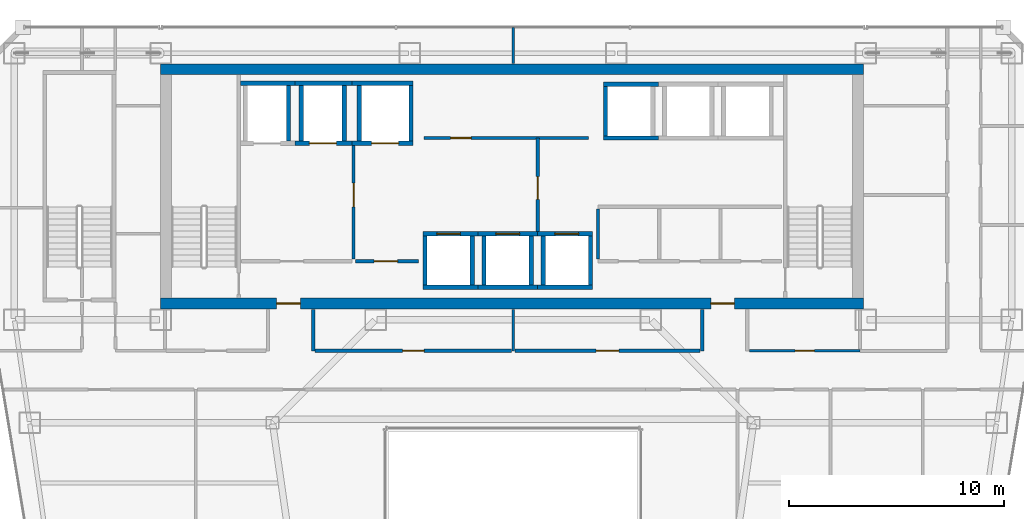
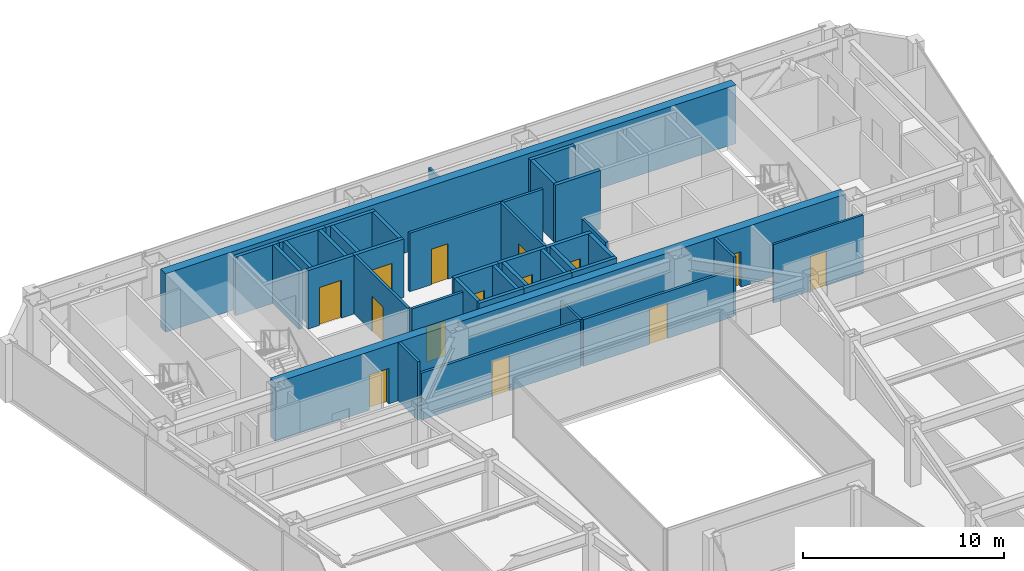
# One storey, part 32 of 37: 39 walls, 14 doors, 14 openings.
"""IFC4 building model written with IfcOpenShell, lengths in metres."""

import ifcopenshell
import ifcopenshell.guid

model = None  # the IFC model being written
_history = None  # IfcOwnerHistory: only IFC2X3 demands one
_inside = {}  # id of a spatial element -> (the spatial element, [elements in it])
_under = {}  # id of a project, library or spatial element -> (it, [spatial elements below it])
_declared = {}  # id of a project -> (the project, [libraries it declares])
_typed = {}  # id of a type object -> (the type object, [elements of that type])
_made_of = {}  # id of a material, layer set ... -> (it, [elements and type objects made of it])


def new_model(schema):
    """Start an empty IFC model of exactly this schema.

    Asked for "IFC4X3", IfcOpenShell would pick the latest addendum, in which some entities
    have other attributes; the version numbers below select the first issue.
    IFC2X3 requires an IfcOwnerHistory on every rooted entity: one is made here for all.
    """
    global model, _history
    if schema == "IFC4X3":
        model = ifcopenshell.file(schema_version=(4, 3, 0, 0))
    else:
        model = ifcopenshell.file(schema=schema)
    _inside.clear()
    _under.clear()
    _declared.clear()
    _typed.clear()
    _made_of.clear()
    _history = None
    if model.schema == "IFC2X3":
        org = make("IfcOrganization", Name="unknown")
        user = make(
            "IfcPersonAndOrganization",
            ThePerson=make("IfcPerson", FamilyName="unknown"),
            TheOrganization=org,
        )
        app = make(
            "IfcApplication",
            ApplicationDeveloper=org,
            Version="unknown",
            ApplicationFullName="unknown",
            ApplicationIdentifier="unknown",
        )
        _history = make(
            "IfcOwnerHistory",
            OwningUser=user,
            OwningApplication=app,
            ChangeAction="ADDED",
            CreationDate=0,
        )
    return model


def make(cls, **values):
    """One entity of the class cls with the attributes given. An attribute that is None is left unset."""
    return model.create_entity(
        cls, **{name: value for name, value in values.items() if value is not None}
    )


def rooted(cls, **values):
    """An entity with a GlobalId (a new one), such as an element, a storey or a relation."""
    return make(cls, GlobalId=ifcopenshell.guid.new(), OwnerHistory=_history, **values)


def si_unit(unit_type, name, prefix=None):
    """IfcSIUnit, for example si_unit("LENGTHUNIT", "METRE", prefix="MILLI")."""
    return make("IfcSIUnit", UnitType=unit_type, Prefix=prefix, Name=name)


def assignment(units):
    """IfcUnitAssignment: the units of a project."""
    return None if units is None else make("IfcUnitAssignment", Units=units)


def point(xyz):
    """IfcCartesianPoint."""
    return None if xyz is None else make("IfcCartesianPoint", Coordinates=xyz)


def direction(xyz):
    """IfcDirection."""
    return None if xyz is None else make("IfcDirection", DirectionRatios=xyz)


def frame(location, z_axis=None, x_axis=None):
    """IfcAxis2Placement3D, a coordinate frame: its origin and axes. An axis left out is left unset."""
    return make(
        "IfcAxis2Placement3D",
        Location=point(location),
        Axis=direction(z_axis),
        RefDirection=direction(x_axis),
    )


def frame_2d(location, x_axis=None):
    """IfcAxis2Placement2D, a coordinate frame in the plane: its origin and x axis."""
    return make(
        "IfcAxis2Placement2D", Location=point(location), RefDirection=direction(x_axis)
    )


def origin():
    """The frame at (0, 0, 0) with its axes left unset."""
    return frame((0.0, 0.0, 0.0))


def place(relative_to, where):
    """IfcLocalPlacement: puts the frame where relative to a parent placement (None: the world)."""
    return make(
        "IfcLocalPlacement", PlacementRelTo=relative_to, RelativePlacement=where
    )


def context(
    kind, dimensions, precision=None, world=None, true_north=None, identifier=None
):
    """IfcGeometricRepresentationContext, for example the 3D "Model" context."""
    return make(
        "IfcGeometricRepresentationContext",
        ContextIdentifier=identifier,
        ContextType=kind,
        CoordinateSpaceDimension=dimensions,
        Precision=precision,
        WorldCoordinateSystem=world,
        TrueNorth=true_north,
    )


def subcontext(parent, identifier, kind, view, scale=None):
    """IfcGeometricRepresentationSubContext, for example "Body" below "Model"."""
    return make(
        "IfcGeometricRepresentationSubContext",
        ContextIdentifier=identifier,
        ContextType=kind,
        ParentContext=parent,
        TargetScale=scale,
        TargetView=view,
    )


def project(units=None, contexts=None):
    """IfcProject with its units and contexts."""
    return rooted(
        "IfcProject",
        Name="project",
        RepresentationContexts=contexts,
        UnitsInContext=assignment(units),
    )


def spatial(cls, under=None, at=None, **own):
    """A site, building, storey or space (cls), placed at a placement, below another one or the project."""
    s = rooted(cls, ObjectPlacement=at, **own)
    if under is not None:
        _under.setdefault(under.id(), (under, []))[1].append(s)
    return s


def profile(cls, at=None, kind="AREA", **sizes):
    """A parametric profile (cls). Its sizes go by their IFC names, for example OverallWidth=200.0."""
    return make(cls, ProfileType=kind, Position=at, **sizes)


def rectangle(**sizes):
    """IfcRectangleProfileDef."""
    return profile("IfcRectangleProfileDef", **sizes)


def extrude(swept, where, along, depth):
    """IfcExtrudedAreaSolid: the profile swept, set in the frame where, extruded along a direction by depth."""
    return make(
        "IfcExtrudedAreaSolid",
        SweptArea=swept,
        Position=where,
        ExtrudedDirection=direction(along),
        Depth=depth,
    )


def shape(context_of_items, identifier, shape_type, items):
    """IfcShapeRepresentation: the items that make up one representation, for example the "Body"."""
    return make(
        "IfcShapeRepresentation",
        ContextOfItems=context_of_items,
        RepresentationIdentifier=identifier,
        RepresentationType=shape_type,
        Items=items,
    )


def material(Name=None, Category=None):
    """IfcMaterial."""
    return make("IfcMaterial", Name=Name, Category=Category)


def layer(
    of_material, thickness, ventilated=None, Name=None, Category=None, Priority=None
):
    """IfcMaterialLayer: one layer of a wall or slab, of a material (None: an air gap)."""
    return make(
        "IfcMaterialLayer",
        Material=of_material,
        LayerThickness=thickness,
        IsVentilated=ventilated,
        Name=Name,
        Category=Category,
        Priority=Priority,
    )


def layer_set(layers, Name=None):
    """IfcMaterialLayerSet."""
    return make("IfcMaterialLayerSet", MaterialLayers=layers, LayerSetName=Name)


def made_of(thing, what):
    """Note that an element or type object is made of a material, layer set ...; save() writes the relation."""
    if what is not None:
        _made_of.setdefault(what.id(), (what, []))[1].append(thing)
    return thing


def type_object(cls, material=None, **own):
    """A type object (cls), such as IfcWallType, which elements share."""
    return made_of(rooted(cls, **own), material)


def element(
    cls,
    number,
    at=None,
    inside=None,
    cuts=None,
    type_object=None,
    material=None,
    context=None,
    identifier="Body",
    shape_type=None,
    held_by="IfcProductDefinitionShape",
    body=None,
    shapes=None,
    **own,
):
    """One element of the class cls, such as IfcWall. Its Tag is "e" and its number.

    at: its placement. inside: the storey or other place that contains it. cuts: it is an
    opening in that element (IfcRelVoidsElement). A single representation is given by context,
    identifier, shape_type and body (its items); several are given by shapes. held_by: the class
    of the entity that holds the representations. save() writes the other relations.
    """
    e = rooted(cls, Tag="e%d" % number, ObjectPlacement=at, **own)
    if body is not None:
        shapes = [shape(context, identifier, shape_type, body)]
    if shapes is not None:
        e.Representation = make(held_by, Representations=shapes)
    if inside is not None:
        _inside.setdefault(inside.id(), (inside, []))[1].append(e)
    if cuts is not None:
        rooted(
            "IfcRelVoidsElement", RelatingBuildingElement=cuts, RelatedOpeningElement=e
        )
    if type_object is not None:
        _typed.setdefault(type_object.id(), (type_object, []))[1].append(e)
    return made_of(e, material)


def fill(opening, filler):
    """IfcRelFillsElement: the door or window that sits in an opening."""
    return rooted(
        "IfcRelFillsElement",
        RelatingOpeningElement=opening,
        RelatedBuildingElement=filler,
    )


def aggregate(whole, parts):
    """IfcRelAggregates: a whole, such as a stair, and the parts it consists of."""
    return rooted("IfcRelAggregates", RelatingObject=whole, RelatedObjects=parts)


def save(model, path):
    """Write the relations noted so far, then the file.

    IfcRelAggregates (storeys below a building ...), IfcRelContainedInSpatialStructure (elements
    in a storey), IfcRelDefinesByType, IfcRelAssociatesMaterial and IfcRelDeclares: one each for
    every whole, place, type object, material and project.
    """
    for whole, parts in _under.values():
        aggregate(whole, parts)
    for where, things in _inside.values():
        rooted(
            "IfcRelContainedInSpatialStructure",
            RelatedElements=things,
            RelatingStructure=where,
        )
    for kind, things in _typed.values():
        rooted("IfcRelDefinesByType", RelatedObjects=things, RelatingType=kind)
    for what, things in _made_of.values():
        rooted("IfcRelAssociatesMaterial", RelatedObjects=things, RelatingMaterial=what)
    for by, libraries in _declared.values():
        rooted("IfcRelDeclares", RelatingContext=by, RelatedDefinitions=libraries)
    model.write(path)


model = new_model("IFC4")

# Units and contexts
model_context = context("Model", 3, precision=1e-05, world=origin(), true_north=direction((0.0, 1.0)))
body_context = subcontext(model_context, "Body", "Model", "MODEL_VIEW")
ifc_project = project(units=[si_unit("LENGTHUNIT", "METRE"), si_unit("AREAUNIT", "SQUARE_METRE"), si_unit("VOLUMEUNIT", "CUBIC_METRE"), si_unit("PLANEANGLEUNIT", "RADIAN"), si_unit("MASSUNIT", "GRAM", prefix="KILO")], contexts=[model_context])

# Site, building, storey
site_placement = place(None, origin())
site = spatial("IfcSite", under=ifc_project, at=site_placement, CompositionType="ELEMENT")
building_placement = place(site_placement, origin())
building = spatial("IfcBuilding", under=site, at=building_placement, Name="Saevonmaru Cultural Tower", CompositionType="ELEMENT")
storey_placement = place(building_placement, frame((0.0, 0.0, 141.0)))
storey = spatial("IfcBuildingStorey", under=building, at=storey_placement, Name="L30", CompositionType="ELEMENT", Elevation=141.0)

# Wall, openings, doors
ifc_material_1 = material(Name="Concrete C60/75", Category="concrete")
ifc_layer_1 = layer(ifc_material_1, 0.5, Name="Concrete C60/75")
ifc_layer_set_1 = layer_set([ifc_layer_1], Name="Concrete C60/75")
wall_type_1 = type_object("IfcWallType", Name="WL-CORE-500", PredefinedType="SHEAR", material=ifc_layer_set_1)
wall_1_placement = place(storey_placement, frame((13.60009765625, 43.14990234375, 0.0), z_axis=(0.0, 0.0, 1.0), x_axis=(1.0, 0.0, 0.0)))
wall_1 = element("IfcWall", 1, at=wall_1_placement, inside=storey, type_object=wall_type_1, Name="L30 Tower RC core shear wall S", PredefinedType="SHEAR", context=body_context, shape_type="SweptSolid", body=[
    extrude(rectangle(XDim=32.699951171875, YDim=0.5, at=frame_2d((16.35009765625, 0.0))), origin(), (0.0, 0.0, 1.0), 3.550048828125),
])
opening_1_placement = place(wall_1_placement, frame((5.39990234375, 0.0, 0.0)))
opening_1 = element("IfcOpeningElement", 2, at=opening_1_placement, cuts=wall_1, Name="Opening FD-2", PredefinedType="OPENING", context=body_context, shape_type="SweptSolid", body=[
    extrude(rectangle(XDim=1.10009765625, YDim=2.14990234375, at=frame_2d((0.550048828125, 1.074951171875))), frame((0.0, 0.260009765625, 0.0), z_axis=(0.0, -1.0, 0.0), x_axis=(1.0, 0.0, 0.0)), (0.0, 0.0, 1.0), 0.52001953125),
])
opening_2_placement = place(wall_1_placement, frame((25.60009765625, 0.0, 0.0)))
opening_2 = element("IfcOpeningElement", 3, at=opening_2_placement, cuts=wall_1, Name="Opening FD-2", PredefinedType="OPENING", context=body_context, shape_type="SweptSolid", body=[
    extrude(rectangle(XDim=1.10009765625, YDim=2.14990234375, at=frame_2d((0.550048828125, 1.074951171875))), frame((0.0, 0.260009765625, 0.0), z_axis=(0.0, -1.0, 0.0), x_axis=(1.0, 0.0, 0.0)), (0.0, 0.0, 1.0), 0.52001953125),
])
ifc_material_2 = material(Name="Satin Bronze Anodised Aluminium", Category="aluminium")
door_type_1 = type_object("IfcDoorType", Name="DR-FD60-1100", OperationType="SINGLE_SWING_LEFT", PredefinedType="DOOR", material=ifc_material_2)
door_1_placement = place(opening_1_placement, origin())
door_1 = element("IfcDoor", 4, at=door_1_placement, inside=storey, type_object=door_type_1, Name="L30 Core West Lobby Fire Door", OperationType="SINGLE_SWING_LEFT", OverallHeight=2.14990234375, OverallWidth=1.10009765625, PredefinedType="DOOR", context=body_context, shape_type="SweptSolid", body=[
    extrude(rectangle(XDim=1.10009765625, YDim=2.14990234375, at=frame_2d((0.550048828125, 1.074951171875))), frame((0.0, 0.02490234375, 0.0), z_axis=(0.0, -1.0, 0.0), x_axis=(1.0, 0.0, 0.0)), (0.0, 0.0, 1.0), 0.050048828125),
])
fill(opening_1, door_1)
door_2_placement = place(opening_2_placement, origin())
door_2 = element("IfcDoor", 5, at=door_2_placement, inside=storey, type_object=door_type_1, Name="L30 Core East Lobby Fire Door", OperationType="SINGLE_SWING_LEFT", OverallHeight=2.14990234375, OverallWidth=1.10009765625, PredefinedType="DOOR", context=body_context, shape_type="SweptSolid", body=[
    extrude(rectangle(XDim=1.10009765625, YDim=2.14990234375, at=frame_2d((0.550048828125, 1.074951171875))), frame((0.0, 0.02490234375, 0.0), z_axis=(0.0, -1.0, 0.0), x_axis=(1.0, 0.0, 0.0)), (0.0, 0.0, 1.0), 0.050048828125),
])
fill(opening_2, door_2)

# Wall
wall_2_placement = place(storey_placement, frame((13.60009765625, 54.050048828125, 0.0), z_axis=(0.0, 0.0, 1.0), x_axis=(1.0, 0.0, 0.0)))
element("IfcWall", 6, at=wall_2_placement, inside=storey, type_object=wall_type_1, Name="L30 Tower RC core shear wall N", PredefinedType="SHEAR", context=body_context, shape_type="SweptSolid", body=[
    extrude(rectangle(XDim=32.699951171875, YDim=0.5, at=frame_2d((16.35009765625, 0.0))), origin(), (0.0, 0.0, 1.0), 3.550048828125),
])

# Wall, opening, door
ifc_material_3 = material(Name="Gypsum Fireboard Partition", Category="gypsum")
ifc_layer_2 = layer(ifc_material_3, 0.14990234375, Name="Gypsum Fireboard Partition")
ifc_layer_set_2 = layer_set([ifc_layer_2], Name="Gypsum Fireboard Partition")
wall_type_2 = type_object("IfcWallType", Name="WL-CORE-PART-150", PredefinedType="PARTITIONING", material=ifc_layer_set_2)
wall_3_placement = place(storey_placement, frame((22.580078125, 50.550048828125, 0.0), z_axis=(0.0, 0.0, 1.0), x_axis=(0.0, -1.0, 0.0)))
wall_3 = element("IfcWall", 7, at=wall_3_placement, inside=storey, type_object=wall_type_2, Name="L30 Firefighting Lift Lobby East Wall", PredefinedType="PARTITIONING", context=body_context, shape_type="SweptSolid", body=[
    extrude(rectangle(XDim=5.330078125, YDim=0.14990234375, at=frame_2d((2.6650390625, 0.0))), origin(), (0.0, 0.0, 1.0), 3.550048828125),
])
opening_3_placement = place(wall_3_placement, frame((1.800048828125, 0.0, 0.0)))
opening_3 = element("IfcOpeningElement", 8, at=opening_3_placement, cuts=wall_3, Name="Opening FD-2", PredefinedType="OPENING", context=body_context, shape_type="SweptSolid", body=[
    extrude(rectangle(XDim=1.10009765625, YDim=2.14990234375, at=frame_2d((0.550048828125, 1.074951171875))), frame((0.0, 0.0849609375, 0.0), z_axis=(0.0, -1.0, 0.0), x_axis=(1.0, 0.0, 0.0)), (0.0, 0.0, 1.0), 0.169921875),
])
door_3_placement = place(opening_3_placement, origin())
door_3 = element("IfcDoor", 9, at=door_3_placement, inside=storey, type_object=door_type_1, Name="L30 Firefighting Lift Lobby East Door", OperationType="SINGLE_SWING_LEFT", OverallHeight=2.14990234375, OverallWidth=1.10009765625, PredefinedType="DOOR", context=body_context, shape_type="SweptSolid", body=[
    extrude(rectangle(XDim=1.10009765625, YDim=2.14990234375, at=frame_2d((0.550048828125, 1.074951171875))), frame((0.0, 0.02490234375, 0.0), z_axis=(0.0, -1.0, 0.0), x_axis=(1.0, 0.0, 0.0)), (0.0, 0.0, 1.0), 0.050048828125),
])
fill(opening_3, door_3)

wall_4_placement = place(storey_placement, frame((22.679931640625, 45.1201171875, 0.0), z_axis=(0.0, 0.0, 1.0), x_axis=(1.0, 0.0, 0.0)))
wall_4 = element("IfcWall", 10, at=wall_4_placement, inside=storey, type_object=wall_type_2, Name="L30 Service Lift Vestibule Wall", PredefinedType="PARTITIONING", context=body_context, shape_type="SweptSolid", body=[
    extrude(rectangle(XDim=2.920166015625, YDim=0.14990234375, at=frame_2d((1.4599609375, 0.0))), origin(), (0.0, 0.0, 1.0), 3.550048828125),
])
opening_4_placement = place(wall_4_placement, frame((0.85009765625, 0.0, 0.0)))
opening_4 = element("IfcOpeningElement", 11, at=opening_4_placement, cuts=wall_4, Name="Opening FD-2", PredefinedType="OPENING", context=body_context, shape_type="SweptSolid", body=[
    extrude(rectangle(XDim=1.10009765625, YDim=2.14990234375, at=frame_2d((0.550048828125, 1.074951171875))), frame((0.0, 0.0849609375, 0.0), z_axis=(0.0, -1.0, 0.0), x_axis=(1.0, 0.0, 0.0)), (0.0, 0.0, 1.0), 0.169921875),
])
door_4_placement = place(opening_4_placement, origin())
door_4 = element("IfcDoor", 12, at=door_4_placement, inside=storey, type_object=door_type_1, Name="L30 Service Lift Vestibule Door", OperationType="SINGLE_SWING_LEFT", OverallHeight=2.14990234375, OverallWidth=1.10009765625, PredefinedType="DOOR", context=body_context, shape_type="SweptSolid", body=[
    extrude(rectangle(XDim=1.10009765625, YDim=2.14990234375, at=frame_2d((0.550048828125, 1.074951171875))), frame((0.0, 0.02490234375, 0.0), z_axis=(0.0, -1.0, 0.0), x_axis=(1.0, 0.0, 0.0)), (0.0, 0.0, 1.0), 0.050048828125),
])
fill(opening_4, door_4)

wall_5_placement = place(storey_placement, frame((31.14990234375, 46.5, 0.0), z_axis=(0.0, 0.0, 1.0), x_axis=(0.0, 1.0, 0.0)))
wall_5 = element("IfcWall", 13, at=wall_5_placement, inside=storey, type_object=wall_type_2, Name="L30 Lift Zone Baffle 1", PredefinedType="PARTITIONING", context=body_context, shape_type="SweptSolid", body=[
    extrude(rectangle(XDim=4.35009765625, YDim=0.14990234375, at=frame_2d((2.175048828125, 0.0))), origin(), (0.0, 0.0, 1.0), 3.550048828125),
])
opening_5_placement = place(wall_5_placement, frame((1.5, 0.0, 0.0)))
opening_5 = element("IfcOpeningElement", 14, at=opening_5_placement, cuts=wall_5, Name="Opening ID-1", PredefinedType="OPENING", context=body_context, shape_type="SweptSolid", body=[
    extrude(rectangle(XDim=1.050048828125, YDim=2.14990234375, at=frame_2d((0.52490234375, 1.074951171875))), frame((0.0, 0.0849609375, 0.0), z_axis=(0.0, -1.0, 0.0), x_axis=(1.0, 0.0, 0.0)), (0.0, 0.0, 1.0), 0.169921875),
])
door_type_2 = type_object("IfcDoorType", Name="DR-INT-1050", OperationType="SINGLE_SWING_LEFT", PredefinedType="DOOR", material=ifc_material_2)
door_5_placement = place(opening_5_placement, origin())
door_5 = element("IfcDoor", 15, at=door_5_placement, inside=storey, type_object=door_type_2, Name="L30 West-Mid Lobby Portal", OperationType="SINGLE_SWING_LEFT", OverallHeight=2.14990234375, OverallWidth=1.050048828125, PredefinedType="DOOR", context=body_context, shape_type="SweptSolid", body=[
    extrude(rectangle(XDim=1.050048828125, YDim=2.14990234375, at=frame_2d((0.52490234375, 1.074951171875))), frame((0.0, 0.02490234375, 0.0), z_axis=(0.0, -1.0, 0.0), x_axis=(1.0, 0.0, 0.0)), (0.0, 0.0, 1.0), 0.050048828125),
])
fill(opening_5, door_5)

# Wall
wall_6_placement = place(storey_placement, frame((33.949951171875, 45.219970703125, 0.0), z_axis=(0.0, 0.0, 1.0), x_axis=(0.0, 1.0, 0.0)))
element("IfcWall", 16, at=wall_6_placement, inside=storey, type_object=wall_type_2, Name="L30 Core Utility West Wall", PredefinedType="PARTITIONING", context=body_context, shape_type="SweptSolid", body=[
    extrude(rectangle(XDim=2.330078125, YDim=0.14990234375, at=frame_2d((1.1650390625, 0.0))), origin(), (0.0, 0.0, 1.0), 3.550048828125),
])

# Wall, opening, door
wall_7_placement = place(storey_placement, frame((25.85009765625, 50.85009765625, 0.0), z_axis=(0.0, 0.0, 1.0), x_axis=(1.0, 0.0, 0.0)))
wall_7 = element("IfcWall", 17, at=wall_7_placement, inside=storey, type_object=wall_type_2, Name="L30 Reclaimed Core Room South Wall", PredefinedType="PARTITIONING", context=body_context, shape_type="SweptSolid", body=[
    extrude(rectangle(XDim=7.64990234375, YDim=0.14990234375, at=frame_2d((3.824951171875, 0.0))), origin(), (0.0, 0.0, 1.0), 3.550048828125),
])
opening_6_placement = place(wall_7_placement, frame((1.25, 0.0, 0.0)))
opening_6 = element("IfcOpeningElement", 18, at=opening_6_placement, cuts=wall_7, Name="Opening FD-4", PredefinedType="OPENING", context=body_context, shape_type="SweptSolid", body=[
    extrude(rectangle(XDim=0.949951171875, YDim=2.14990234375, at=frame_2d((0.47509765625, 1.074951171875))), frame((0.0, 0.0849609375, 0.0), z_axis=(0.0, -1.0, 0.0), x_axis=(1.0, 0.0, 0.0)), (0.0, 0.0, 1.0), 0.169921875),
])
door_type_3 = type_object("IfcDoorType", Name="DR-FD60-950", OperationType="SINGLE_SWING_LEFT", PredefinedType="DOOR", material=ifc_material_2)
door_6_placement = place(opening_6_placement, origin())
door_6 = element("IfcDoor", 19, at=door_6_placement, inside=storey, type_object=door_type_3, Name="L30 Reclaimed Archive Vault Door", OperationType="SINGLE_SWING_LEFT", OverallHeight=2.14990234375, OverallWidth=0.949951171875, PredefinedType="DOOR", context=body_context, shape_type="SweptSolid", body=[
    extrude(rectangle(XDim=0.949951171875, YDim=2.14990234375, at=frame_2d((0.47509765625, 1.074951171875))), frame((0.0, 0.02490234375, 0.0), z_axis=(0.0, -1.0, 0.0), x_axis=(1.0, 0.0, 0.0)), (0.0, 0.0, 1.0), 0.050048828125),
])
fill(opening_6, door_6)

# Walls
ifc_layer_3 = layer(ifc_material_3, 0.14990234375, Name="Gypsum Fireboard Partition")
ifc_layer_set_3 = layer_set([ifc_layer_3], Name="Gypsum Fireboard Partition")
wall_type_3 = type_object("IfcWallType", Name="WL-PART-FIRE-150", PredefinedType="PARTITIONING", material=ifc_layer_set_3)
for number, where, z_axis, x_axis, name in (
    (20, (20.699951171875, 40.949951171875, 0.0), (0.0, 0.0, 1.0), (0.0, 1.0, 0.0), "L30 Core Portal Side Wall W2"),
    (21, (38.800048828125, 40.949951171875, 0.0), (0.0, 0.0, 1.0), (0.0, 1.0, 0.0), "L30 Core Portal Side Wall E1"),
):
    element("IfcWall", number, at=place(storey_placement, frame(where, z_axis=z_axis, x_axis=x_axis)), inside=storey, type_object=wall_type_3, Name=name, PredefinedType="PARTITIONING", context=body_context, shape_type="SweptSolid", body=[
        extrude(rectangle(XDim=1.929931640625, YDim=0.14990234375, at=frame_2d((0.96484375, 0.0))), origin(), (0.0, 0.0, 1.0), 3.550048828125),
    ])

# Wall, opening, door
wall_8_placement = place(storey_placement, frame((20.794921875, 40.949951171875, 0.0), z_axis=(0.0, 0.0, 1.0), x_axis=(1.0, 0.0, 0.0)))
wall_8 = element("IfcWall", 22, at=wall_8_placement, inside=storey, type_object=wall_type_3, Name="L30 Acoustic Chamber Auditorium Corridor Wall", PredefinedType="PARTITIONING", context=body_context, shape_type="SweptSolid", body=[
    extrude(rectangle(XDim=9.125, YDim=0.14990234375, at=frame_2d((4.5625, 0.0))), origin(), (0.0, 0.0, 1.0), 2.8349609375),
])
opening_7_placement = place(wall_8_placement, frame((4.06201171875, 0.0, 0.0)))
opening_7 = element("IfcOpeningElement", 23, at=opening_7_placement, cuts=wall_8, Name="Opening ID-1B", PredefinedType="OPENING", context=body_context, shape_type="SweptSolid", body=[
    extrude(rectangle(XDim=1.0, YDim=2.14990234375, at=frame_2d((0.5, 1.074951171875))), frame((0.0, 0.0849609375, 0.0), z_axis=(0.0, -1.0, 0.0), x_axis=(1.0, 0.0, 0.0)), (0.0, 0.0, 1.0), 0.169921875),
])
ifc_material_4 = material(Name="Acoustic Stained Oak Timber", Category="wood")
door_type_4 = type_object("IfcDoorType", Name="DR-INT-1000", OperationType="SINGLE_SWING_RIGHT", PredefinedType="DOOR", material=ifc_material_4)
door_7_placement = place(opening_7_placement, origin())
door_7 = element("IfcDoor", 24, at=door_7_placement, inside=storey, type_object=door_type_4, Name="L30 Acoustic Chamber Auditorium Door", OperationType="SINGLE_SWING_LEFT", OverallHeight=2.14990234375, OverallWidth=1.0, PredefinedType="DOOR", context=body_context, shape_type="SweptSolid", body=[
    extrude(rectangle(XDim=1.0, YDim=2.14990234375, at=frame_2d((0.5, 1.074951171875))), frame((0.0, 0.02490234375, 0.0), z_axis=(0.0, -1.0, 0.0), x_axis=(1.0, 0.0, 0.0)), (0.0, 0.0, 1.0), 0.050048828125),
])
fill(opening_7, door_7)

wall_9_placement = place(storey_placement, frame((30.080078125, 40.949951171875, 0.0), z_axis=(0.0, 0.0, 1.0), x_axis=(1.0, 0.0, 0.0)))
wall_9 = element("IfcWall", 25, at=wall_9_placement, inside=storey, type_object=wall_type_3, Name="L30 Sky Observatory Gallery Corridor Wall", PredefinedType="PARTITIONING", context=body_context, shape_type="SweptSolid", body=[
    extrude(rectangle(XDim=8.625, YDim=0.14990234375, at=frame_2d((4.3125, 0.0))), origin(), (0.0, 0.0, 1.0), 2.8349609375),
])
opening_8_placement = place(wall_9_placement, frame((3.7880859375, 0.0, 0.0)))
opening_8 = element("IfcOpeningElement", 26, at=opening_8_placement, cuts=wall_9, Name="Opening ID-1", PredefinedType="OPENING", context=body_context, shape_type="SweptSolid", body=[
    extrude(rectangle(XDim=1.050048828125, YDim=2.14990234375, at=frame_2d((0.52490234375, 1.074951171875))), frame((0.0, 0.0849609375, 0.0), z_axis=(0.0, -1.0, 0.0), x_axis=(1.0, 0.0, 0.0)), (0.0, 0.0, 1.0), 0.169921875),
])
door_8_placement = place(opening_8_placement, origin())
door_8 = element("IfcDoor", 27, at=door_8_placement, inside=storey, type_object=door_type_2, Name="L30 Sky Observatory Gallery Door", OperationType="SINGLE_SWING_RIGHT", OverallHeight=2.14990234375, OverallWidth=1.050048828125, PredefinedType="DOOR", context=body_context, shape_type="SweptSolid", body=[
    extrude(rectangle(XDim=1.050048828125, YDim=2.14990234375, at=frame_2d((0.52490234375, 1.074951171875))), frame((0.0, 0.02490234375, 0.0), z_axis=(0.0, -1.0, 0.0), x_axis=(1.0, 0.0, 0.0)), (0.0, 0.0, 1.0), 0.050048828125),
])
fill(opening_8, door_8)

# Walls
ifc_layer_4 = layer(ifc_material_3, 0.1201171875, Name="Gypsum Fireboard Partition")
ifc_layer_set_4 = layer_set([ifc_layer_4], Name="Gypsum Fireboard Partition")
wall_type_4 = type_object("IfcWallType", Name="WL-PART-GYP-120", PredefinedType="PARTITIONING", material=ifc_layer_set_4)
wall_10_placement = place(storey_placement, frame((30.0, 54.320068359375, 0.0), z_axis=(0.0, 0.0, 1.0), x_axis=(0.0, 1.0, 0.0)))
element("IfcWall", 28, at=wall_10_placement, inside=storey, type_object=wall_type_4, Name="L30 North Panorama Center Split", PredefinedType="PARTITIONING", context=body_context, shape_type="SweptSolid", body=[
    extrude(rectangle(XDim=1.675048828125, YDim=0.1201171875, at=frame_2d((0.83740234375, 0.0))), origin(), (0.0, 0.0, 1.0), 2.93505859375),
])
wall_11_placement = place(storey_placement, frame((30.0, 40.949951171875, 0.0), z_axis=(0.0, 0.0, 1.0), x_axis=(0.0, 1.0, 0.0)))
element("IfcWall", 29, at=wall_11_placement, inside=storey, type_object=wall_type_4, Name="L30 Spine Alcove Split", PredefinedType="PARTITIONING", context=body_context, shape_type="SweptSolid", body=[
    extrude(rectangle(XDim=1.929931640625, YDim=0.1201171875, at=frame_2d((0.96484375, 0.0))), origin(), (0.0, 0.0, 1.0), 2.8349609375),
])

# Wall, opening, door
wall_12_placement = place(storey_placement, frame((40.9951171875, 40.949951171875, 0.0), z_axis=(0.0, 0.0, 1.0), x_axis=(1.0, 0.0, 0.0)))
wall_12 = element("IfcWall", 30, at=wall_12_placement, inside=storey, type_object=wall_type_4, Name="L30 Civic Policy Meeting Room Corridor Wall", PredefinedType="PARTITIONING", context=body_context, shape_type="SweptSolid", body=[
    extrude(rectangle(XDim=5.15478515625, YDim=0.1201171875, at=frame_2d((2.577392578125, 0.0))), origin(), (0.0, 0.0, 1.0), 3.550048828125),
])
opening_9_placement = place(wall_12_placement, frame((2.1279296875, 0.0, 0.0)))
opening_9 = element("IfcOpeningElement", 31, at=opening_9_placement, cuts=wall_12, Name="Opening ID-2", PredefinedType="OPENING", context=body_context, shape_type="SweptSolid", body=[
    extrude(rectangle(XDim=0.89990234375, YDim=2.10009765625, at=frame_2d((0.449951171875, 1.050048828125))), frame((0.0, 0.070068359375, 0.0), z_axis=(0.0, -1.0, 0.0), x_axis=(1.0, 0.0, 0.0)), (0.0, 0.0, 1.0), 0.14013671875),
])
door_type_5 = type_object("IfcDoorType", Name="DR-INT-900", OperationType="SINGLE_SWING_RIGHT", PredefinedType="DOOR", material=ifc_material_4)
door_9_placement = place(opening_9_placement, origin())
door_9 = element("IfcDoor", 32, at=door_9_placement, inside=storey, type_object=door_type_5, Name="L30 Civic Policy Meeting Room Door", OperationType="SINGLE_SWING_LEFT", OverallHeight=2.10009765625, OverallWidth=0.89990234375, PredefinedType="DOOR", context=body_context, shape_type="SweptSolid", body=[
    extrude(rectangle(XDim=0.89990234375, YDim=2.10009765625, at=frame_2d((0.449951171875, 1.050048828125))), frame((0.0, 0.02490234375, 0.0), z_axis=(0.0, -1.0, 0.0), x_axis=(1.0, 0.0, 0.0)), (0.0, 0.0, 1.0), 0.050048828125),
])
fill(opening_9, door_9)

# Walls
ifc_material_5 = material(Name="Concrete C40/50", Category="concrete")
ifc_layer_5 = layer(ifc_material_5, 0.199951171875, Name="Concrete C40/50")
ifc_layer_set_5 = layer_set([ifc_layer_5], Name="Concrete C40/50")
wall_type_5 = type_object("IfcWallType", Name="WL-SHAFT-200", PredefinedType="SHEAR", material=ifc_layer_set_5)
wall_13_placement = place(storey_placement, frame((17.330078125, 53.39990234375, 0.0), z_axis=(0.0, 0.0, 1.0), x_axis=(1.0, 0.0, 0.0)))
element("IfcWall", 33, at=wall_13_placement, inside=storey, type_object=wall_type_5, Name="L30 Lift FFL-1 Hoistway Wall N", PredefinedType="SHEAR", context=body_context, shape_type="SweptSolid", body=[
    extrude(rectangle(XDim=2.52001953125, YDim=0.199951171875, at=frame_2d((1.260009765625, 0.0))), origin(), (0.0, 0.0, 1.0), 3.550048828125),
])
wall_14_placement = place(storey_placement, frame((19.550048828125, 50.699951171875, 0.0), z_axis=(0.0, 0.0, 1.0), x_axis=(0.0, 1.0, 0.0)))
element("IfcWall", 34, at=wall_14_placement, inside=storey, type_object=wall_type_5, Name="L30 Lift FFL-1 Hoistway Wall E", PredefinedType="SHEAR", context=body_context, shape_type="SweptSolid", body=[
    extrude(rectangle(XDim=2.60009765625, YDim=0.199951171875, at=frame_2d((1.300048828125, 0.0))), origin(), (0.0, 0.0, 1.0), 3.550048828125),
])

# Wall, opening, door
wall_15_placement = place(storey_placement, frame((19.85009765625, 50.60009765625, 0.0), z_axis=(0.0, 0.0, 1.0), x_axis=(1.0, 0.0, 0.0)))
wall_15 = element("IfcWall", 35, at=wall_15_placement, inside=storey, type_object=wall_type_5, Name="L30 Lift FFL-2 Hoistway Wall S", PredefinedType="SHEAR", context=body_context, shape_type="SweptSolid", body=[
    extrude(rectangle(XDim=2.64990234375, YDim=0.199951171875, at=frame_2d((1.324951171875, 0.0))), origin(), (0.0, 0.0, 1.0), 3.550048828125),
])
opening_10_placement = place(wall_15_placement, frame((0.675048828125, 0.0, 0.0)))
opening_10 = element("IfcOpeningElement", 36, at=opening_10_placement, cuts=wall_15, Name="Opening LD-2", PredefinedType="OPENING", context=body_context, shape_type="SweptSolid", body=[
    extrude(rectangle(XDim=1.25, YDim=2.300048828125, at=frame_2d((0.625, 1.14990234375))), frame((0.0, 0.10986328125, 0.0), z_axis=(0.0, -1.0, 0.0), x_axis=(1.0, 0.0, 0.0)), (0.0, 0.0, 1.0), 0.219970703125),
])
ifc_material_6 = material(Name="Stainless Steel 316", Category="steel")
door_type_6 = type_object("IfcDoorType", Name="DR-LIFT-1250", OperationType="SLIDING_TO_LEFT", PredefinedType="DOOR", material=ifc_material_6)
door_10_placement = place(opening_10_placement, origin())
door_10 = element("IfcDoor", 37, at=door_10_placement, inside=storey, type_object=door_type_6, Name="L30 Lift FFL-2 Sliding Landing Door", OperationType="SLIDING_TO_LEFT", OverallHeight=2.300048828125, OverallWidth=1.25, PredefinedType="DOOR", context=body_context, shape_type="SweptSolid", body=[
    extrude(rectangle(XDim=1.25, YDim=2.300048828125, at=frame_2d((0.625, 1.14990234375))), frame((0.0, 0.02490234375, 0.0), z_axis=(0.0, -1.0, 0.0), x_axis=(1.0, 0.0, 0.0)), (0.0, 0.0, 1.0), 0.050048828125),
])
fill(opening_10, door_10)

# Walls
wall_16_placement = place(storey_placement, frame((19.85009765625, 53.39990234375, 0.0), z_axis=(0.0, 0.0, 1.0), x_axis=(1.0, 0.0, 0.0)))
element("IfcWall", 38, at=wall_16_placement, inside=storey, type_object=wall_type_5, Name="L30 Lift FFL-2 Hoistway Wall N", PredefinedType="SHEAR", context=body_context, shape_type="SweptSolid", body=[
    extrude(rectangle(XDim=2.64990234375, YDim=0.199951171875, at=frame_2d((1.324951171875, 0.0))), origin(), (0.0, 0.0, 1.0), 3.550048828125),
])
for number, where, z_axis, x_axis, name in (
    (39, (20.14990234375, 50.699951171875, 0.0), (0.0, 0.0, 1.0), (0.0, 1.0, 0.0), "L30 Lift FFL-2 Hoistway Wall W"),
    (40, (22.14990234375, 50.699951171875, 0.0), (0.0, 0.0, 1.0), (0.0, 1.0, 0.0), "L30 Lift FFL-2 Hoistway Wall E"),
):
    element("IfcWall", number, at=place(storey_placement, frame(where, z_axis=z_axis, x_axis=x_axis)), inside=storey, type_object=wall_type_5, Name=name, PredefinedType="SHEAR", context=body_context, shape_type="SweptSolid", body=[
        extrude(rectangle(XDim=2.60009765625, YDim=0.199951171875, at=frame_2d((1.300048828125, 0.0))), origin(), (0.0, 0.0, 1.0), 3.550048828125),
    ])

# Wall, opening, door
wall_17_placement = place(storey_placement, frame((22.5, 50.60009765625, 0.0), z_axis=(0.0, 0.0, 1.0), x_axis=(1.0, 0.0, 0.0)))
wall_17 = element("IfcWall", 41, at=wall_17_placement, inside=storey, type_object=wall_type_5, Name="L30 Lift GL-1 Hoistway Wall S", PredefinedType="SHEAR", context=body_context, shape_type="SweptSolid", body=[
    extrude(rectangle(XDim=2.85009765625, YDim=0.199951171875, at=frame_2d((1.425048828125, 0.0))), origin(), (0.0, 0.0, 1.0), 3.550048828125),
])
opening_11_placement = place(wall_17_placement, frame((0.925048828125, 0.0, 0.0)))
opening_11 = element("IfcOpeningElement", 42, at=opening_11_placement, cuts=wall_17, Name="Opening LD-2", PredefinedType="OPENING", context=body_context, shape_type="SweptSolid", body=[
    extrude(rectangle(XDim=1.25, YDim=2.300048828125, at=frame_2d((0.625, 1.14990234375))), frame((0.0, 0.10986328125, 0.0), z_axis=(0.0, -1.0, 0.0), x_axis=(1.0, 0.0, 0.0)), (0.0, 0.0, 1.0), 0.219970703125),
])
door_11_placement = place(opening_11_placement, origin())
door_11 = element("IfcDoor", 43, at=door_11_placement, inside=storey, type_object=door_type_6, Name="L30 Lift GL-1 Sliding Landing Door", OperationType="SLIDING_TO_LEFT", OverallHeight=2.300048828125, OverallWidth=1.25, PredefinedType="DOOR", context=body_context, shape_type="SweptSolid", body=[
    extrude(rectangle(XDim=1.25, YDim=2.300048828125, at=frame_2d((0.625, 1.14990234375))), frame((0.0, 0.02490234375, 0.0), z_axis=(0.0, -1.0, 0.0), x_axis=(1.0, 0.0, 0.0)), (0.0, 0.0, 1.0), 0.050048828125),
])
fill(opening_11, door_11)

# Walls
wall_18_placement = place(storey_placement, frame((22.5, 53.39990234375, 0.0), z_axis=(0.0, 0.0, 1.0), x_axis=(1.0, 0.0, 0.0)))
element("IfcWall", 44, at=wall_18_placement, inside=storey, type_object=wall_type_5, Name="L30 Lift GL-1 Hoistway Wall N", PredefinedType="SHEAR", context=body_context, shape_type="SweptSolid", body=[
    extrude(rectangle(XDim=2.85009765625, YDim=0.199951171875, at=frame_2d((1.425048828125, 0.0))), origin(), (0.0, 0.0, 1.0), 3.550048828125),
])
for number, where, z_axis, x_axis, name in (
    (45, (22.85009765625, 50.699951171875, 0.0), (0.0, 0.0, 1.0), (0.0, 1.0, 0.0), "L30 Lift GL-1 Hoistway Wall W"),
    (46, (25.25, 50.699951171875, 0.0), (0.0, 0.0, 1.0), (0.0, 1.0, 0.0), "L30 Lift GL-1 Hoistway Wall E"),
):
    element("IfcWall", number, at=place(storey_placement, frame(where, z_axis=z_axis, x_axis=x_axis)), inside=storey, type_object=wall_type_5, Name=name, PredefinedType="SHEAR", context=body_context, shape_type="SweptSolid", body=[
        extrude(rectangle(XDim=2.60009765625, YDim=0.199951171875, at=frame_2d((1.300048828125, 0.0))), origin(), (0.0, 0.0, 1.0), 3.550048828125),
    ])
wall_19_placement = place(storey_placement, frame((25.800048828125, 43.89990234375, 0.0), z_axis=(0.0, 0.0, 1.0), x_axis=(1.0, 0.0, 0.0)))
element("IfcWall", 47, at=wall_19_placement, inside=storey, type_object=wall_type_5, Name="L30 Lift PL-M1 Hoistway Wall S", PredefinedType="SHEAR", context=body_context, shape_type="SweptSolid", body=[
    extrude(rectangle(XDim=2.574951171875, YDim=0.199951171875, at=frame_2d((1.28759765625, 0.0))), origin(), (0.0, 0.0, 1.0), 3.550048828125),
])

# Wall, opening, door
wall_20_placement = place(storey_placement, frame((25.800048828125, 46.39990234375, 0.0), z_axis=(0.0, 0.0, 1.0), x_axis=(1.0, 0.0, 0.0)))
wall_20 = element("IfcWall", 48, at=wall_20_placement, inside=storey, type_object=wall_type_5, Name="L30 Lift PL-M1 Hoistway Wall N", PredefinedType="SHEAR", context=body_context, shape_type="SweptSolid", body=[
    extrude(rectangle(XDim=2.574951171875, YDim=0.199951171875, at=frame_2d((1.28759765625, 0.0))), origin(), (0.0, 0.0, 1.0), 3.550048828125),
])
opening_12_placement = place(wall_20_placement, frame((0.64990234375, 0.0, 0.0)))
opening_12 = element("IfcOpeningElement", 49, at=opening_12_placement, cuts=wall_20, Name="Opening LD-1", PredefinedType="OPENING", context=body_context, shape_type="SweptSolid", body=[
    extrude(rectangle(XDim=1.10009765625, YDim=2.199951171875, at=frame_2d((0.550048828125, 1.10009765625))), frame((0.0, 0.10986328125, 0.0), z_axis=(0.0, -1.0, 0.0), x_axis=(1.0, 0.0, 0.0)), (0.0, 0.0, 1.0), 0.219970703125),
])
ifc_material_7 = material(Name="Satin Bronze Stainless Steel", Category="steel")
door_type_7 = type_object("IfcDoorType", Name="DR-LIFT-1100", OperationType="SLIDING_TO_LEFT", PredefinedType="DOOR", material=ifc_material_7)
door_12_placement = place(opening_12_placement, origin())
door_12 = element("IfcDoor", 50, at=door_12_placement, inside=storey, type_object=door_type_7, Name="L30 Lift PL-M1 Sliding Landing Door", OperationType="SLIDING_TO_LEFT", OverallHeight=2.199951171875, OverallWidth=1.10009765625, PredefinedType="DOOR", context=body_context, shape_type="SweptSolid", body=[
    extrude(rectangle(XDim=1.10009765625, YDim=2.199951171875, at=frame_2d((0.550048828125, 1.10009765625))), frame((0.0, 0.02490234375, 0.0), z_axis=(0.0, -1.0, 0.0), x_axis=(1.0, 0.0, 0.0)), (0.0, 0.0, 1.0), 0.050048828125),
])
fill(opening_12, door_12)

# Walls
for number, where, z_axis, x_axis, name in (
    (51, (25.89990234375, 44.0, 0.0), (0.0, 0.0, 1.0), (0.0, 1.0, 0.0), "L30 Lift PL-M1 Hoistway Wall W"),
    (52, (28.10009765625, 44.0, 0.0), (0.0, 0.0, 1.0), (0.0, 1.0, 0.0), "L30 Lift PL-M1 Hoistway Wall E"),
):
    element("IfcWall", number, at=place(storey_placement, frame(where, z_axis=z_axis, x_axis=x_axis)), inside=storey, type_object=wall_type_5, Name=name, PredefinedType="SHEAR", context=body_context, shape_type="SweptSolid", body=[
        extrude(rectangle(XDim=2.300048828125, YDim=0.199951171875, at=frame_2d((1.14990234375, 0.0))), origin(), (0.0, 0.0, 1.0), 3.550048828125),
    ])
wall_21_placement = place(storey_placement, frame((28.375, 43.89990234375, 0.0), z_axis=(0.0, 0.0, 1.0), x_axis=(1.0, 0.0, 0.0)))
element("IfcWall", 53, at=wall_21_placement, inside=storey, type_object=wall_type_5, Name="L30 Lift PL-M2 Hoistway Wall S", PredefinedType="SHEAR", context=body_context, shape_type="SweptSolid", body=[
    extrude(rectangle(XDim=2.75, YDim=0.199951171875, at=frame_2d((1.375, 0.0))), origin(), (0.0, 0.0, 1.0), 3.550048828125),
])

# Wall, opening, door
wall_22_placement = place(storey_placement, frame((28.375, 46.39990234375, 0.0), z_axis=(0.0, 0.0, 1.0), x_axis=(1.0, 0.0, 0.0)))
wall_22 = element("IfcWall", 54, at=wall_22_placement, inside=storey, type_object=wall_type_5, Name="L30 Lift PL-M2 Hoistway Wall N", PredefinedType="SHEAR", context=body_context, shape_type="SweptSolid", body=[
    extrude(rectangle(XDim=2.75, YDim=0.199951171875, at=frame_2d((1.375, 0.0))), origin(), (0.0, 0.0, 1.0), 3.550048828125),
])
opening_13_placement = place(wall_22_placement, frame((0.824951171875, 0.0, 0.0)))
opening_13 = element("IfcOpeningElement", 55, at=opening_13_placement, cuts=wall_22, Name="Opening LD-1", PredefinedType="OPENING", context=body_context, shape_type="SweptSolid", body=[
    extrude(rectangle(XDim=1.10009765625, YDim=2.199951171875, at=frame_2d((0.550048828125, 1.10009765625))), frame((0.0, 0.10986328125, 0.0), z_axis=(0.0, -1.0, 0.0), x_axis=(1.0, 0.0, 0.0)), (0.0, 0.0, 1.0), 0.219970703125),
])
door_13_placement = place(opening_13_placement, origin())
door_13 = element("IfcDoor", 56, at=door_13_placement, inside=storey, type_object=door_type_7, Name="L30 Lift PL-M2 Sliding Landing Door", OperationType="SLIDING_TO_LEFT", OverallHeight=2.199951171875, OverallWidth=1.10009765625, PredefinedType="DOOR", context=body_context, shape_type="SweptSolid", body=[
    extrude(rectangle(XDim=1.10009765625, YDim=2.199951171875, at=frame_2d((0.550048828125, 1.10009765625))), frame((0.0, 0.02490234375, 0.0), z_axis=(0.0, -1.0, 0.0), x_axis=(1.0, 0.0, 0.0)), (0.0, 0.0, 1.0), 0.050048828125),
])
fill(opening_13, door_13)

# Walls
for number, where, z_axis, x_axis, name in (
    (57, (28.64990234375, 44.0, 0.0), (0.0, 0.0, 1.0), (0.0, 1.0, 0.0), "L30 Lift PL-M2 Hoistway Wall W"),
    (58, (30.85009765625, 44.0, 0.0), (0.0, 0.0, 1.0), (0.0, 1.0, 0.0), "L30 Lift PL-M2 Hoistway Wall E"),
):
    element("IfcWall", number, at=place(storey_placement, frame(where, z_axis=z_axis, x_axis=x_axis)), inside=storey, type_object=wall_type_5, Name=name, PredefinedType="SHEAR", context=body_context, shape_type="SweptSolid", body=[
        extrude(rectangle(XDim=2.300048828125, YDim=0.199951171875, at=frame_2d((1.14990234375, 0.0))), origin(), (0.0, 0.0, 1.0), 3.550048828125),
    ])
wall_23_placement = place(storey_placement, frame((31.125, 43.89990234375, 0.0), z_axis=(0.0, 0.0, 1.0), x_axis=(1.0, 0.0, 0.0)))
element("IfcWall", 59, at=wall_23_placement, inside=storey, type_object=wall_type_5, Name="L30 Lift PL-M3 Hoistway Wall S", PredefinedType="SHEAR", context=body_context, shape_type="SweptSolid", body=[
    extrude(rectangle(XDim=2.574951171875, YDim=0.199951171875, at=frame_2d((1.28759765625, 0.0))), origin(), (0.0, 0.0, 1.0), 3.550048828125),
])

# Wall, opening, door
wall_24_placement = place(storey_placement, frame((31.125, 46.39990234375, 0.0), z_axis=(0.0, 0.0, 1.0), x_axis=(1.0, 0.0, 0.0)))
wall_24 = element("IfcWall", 60, at=wall_24_placement, inside=storey, type_object=wall_type_5, Name="L30 Lift PL-M3 Hoistway Wall N", PredefinedType="SHEAR", context=body_context, shape_type="SweptSolid", body=[
    extrude(rectangle(XDim=2.574951171875, YDim=0.199951171875, at=frame_2d((1.28759765625, 0.0))), origin(), (0.0, 0.0, 1.0), 3.550048828125),
])
opening_14_placement = place(wall_24_placement, frame((0.824951171875, 0.0, 0.0)))
opening_14 = element("IfcOpeningElement", 61, at=opening_14_placement, cuts=wall_24, Name="Opening LD-1", PredefinedType="OPENING", context=body_context, shape_type="SweptSolid", body=[
    extrude(rectangle(XDim=1.10009765625, YDim=2.199951171875, at=frame_2d((0.550048828125, 1.10009765625))), frame((0.0, 0.10986328125, 0.0), z_axis=(0.0, -1.0, 0.0), x_axis=(1.0, 0.0, 0.0)), (0.0, 0.0, 1.0), 0.219970703125),
])
door_14_placement = place(opening_14_placement, origin())
door_14 = element("IfcDoor", 62, at=door_14_placement, inside=storey, type_object=door_type_7, Name="L30 Lift PL-M3 Sliding Landing Door", OperationType="SLIDING_TO_LEFT", OverallHeight=2.199951171875, OverallWidth=1.10009765625, PredefinedType="DOOR", context=body_context, shape_type="SweptSolid", body=[
    extrude(rectangle(XDim=1.10009765625, YDim=2.199951171875, at=frame_2d((0.550048828125, 1.10009765625))), frame((0.0, 0.02490234375, 0.0), z_axis=(0.0, -1.0, 0.0), x_axis=(1.0, 0.0, 0.0)), (0.0, 0.0, 1.0), 0.050048828125),
])
fill(opening_14, door_14)

# Walls
for number, where, z_axis, x_axis, name in (
    (63, (31.39990234375, 44.0, 0.0), (0.0, 0.0, 1.0), (0.0, 1.0, 0.0), "L30 Lift PL-M3 Hoistway Wall W"),
    (64, (33.60009765625, 44.0, 0.0), (0.0, 0.0, 1.0), (0.0, 1.0, 0.0), "L30 Lift PL-M3 Hoistway Wall E"),
):
    element("IfcWall", number, at=place(storey_placement, frame(where, z_axis=z_axis, x_axis=x_axis)), inside=storey, type_object=wall_type_5, Name=name, PredefinedType="SHEAR", context=body_context, shape_type="SweptSolid", body=[
        extrude(rectangle(XDim=2.300048828125, YDim=0.199951171875, at=frame_2d((1.14990234375, 0.0))), origin(), (0.0, 0.0, 1.0), 3.550048828125),
    ])
for number, where, z_axis, x_axis, name in (
    (65, (34.199951171875, 50.85009765625, 0.0), (0.0, 0.0, 1.0), (1.0, 0.0, 0.0), "L30 Lift PL-H1 Hoistway Wall S"),
    (66, (34.199951171875, 53.35009765625, 0.0), (0.0, 0.0, 1.0), (1.0, 0.0, 0.0), "L30 Lift PL-H1 Hoistway Wall N"),
):
    element("IfcWall", number, at=place(storey_placement, frame(where, z_axis=z_axis, x_axis=x_axis)), inside=storey, type_object=wall_type_5, Name=name, PredefinedType="SHEAR", context=body_context, shape_type="SweptSolid", body=[
        extrude(rectangle(XDim=2.574951171875, YDim=0.199951171875, at=frame_2d((1.28759765625, 0.0))), origin(), (0.0, 0.0, 1.0), 3.550048828125),
    ])
wall_25_placement = place(storey_placement, frame((34.300048828125, 50.949951171875, 0.0), z_axis=(0.0, 0.0, 1.0), x_axis=(0.0, 1.0, 0.0)))
element("IfcWall", 67, at=wall_25_placement, inside=storey, type_object=wall_type_5, Name="L30 Lift PL-H1 Hoistway Wall W", PredefinedType="SHEAR", context=body_context, shape_type="SweptSolid", body=[
    extrude(rectangle(XDim=2.300048828125, YDim=0.199951171875, at=frame_2d((1.14990234375, 0.0))), origin(), (0.0, 0.0, 1.0), 3.550048828125),
])

save(model, "model.ifc")
